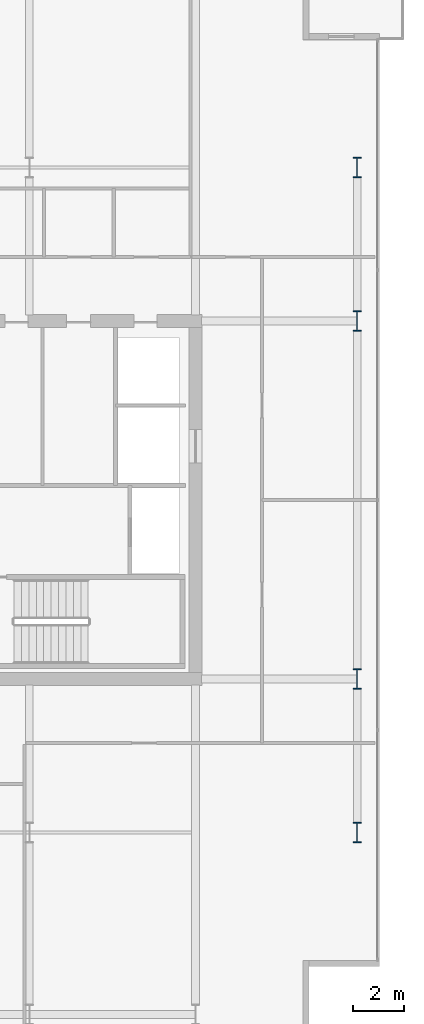
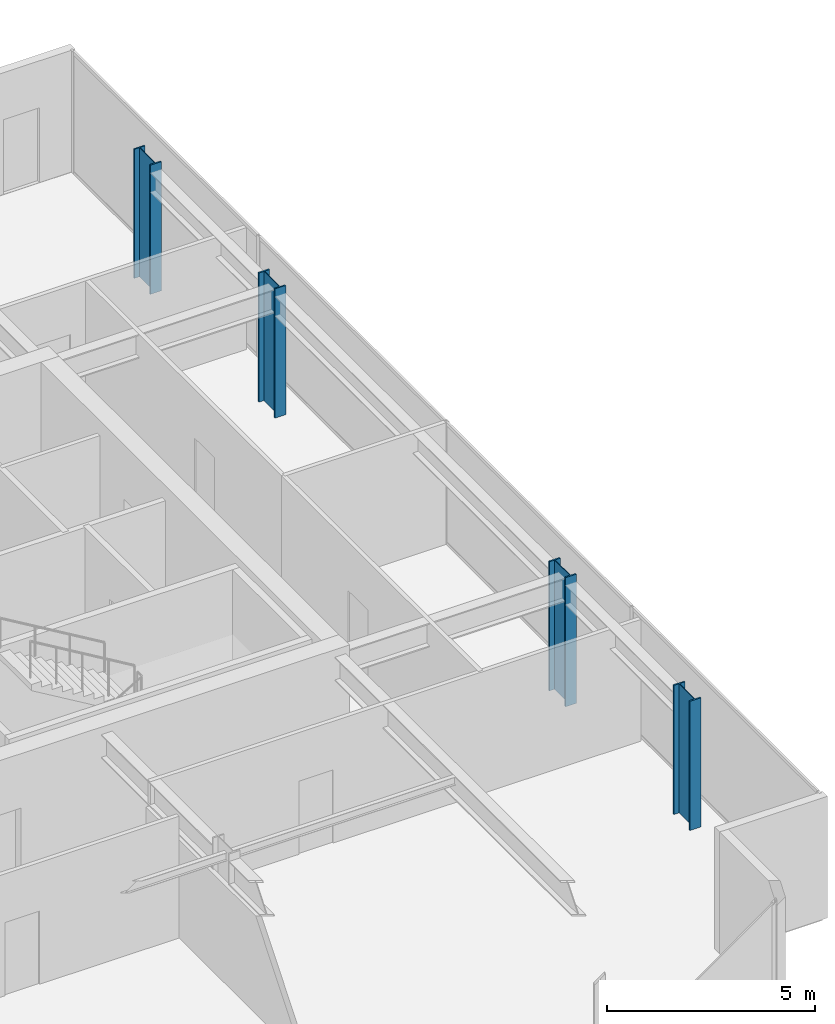
# One storey, part 2 of 23: 4 columns.
"""IFC4 building model written with IfcOpenShell, lengths in metres."""

from ifc_helpers import new_model, si_unit, direction, frame, origin, origin_2d, place, context, subcontext, project, spatial, i_section, extrude, material, material_profile, profile_set, type_object, element, save


model = new_model("IFC4")

# Units and contexts
model_context = context("Model", 3, precision=1e-05, world=origin(), true_north=direction((0.0, 1.0)))
body_context = subcontext(model_context, "Body", "Model", "MODEL_VIEW")
ifc_project = project(units=[si_unit("LENGTHUNIT", "METRE"), si_unit("AREAUNIT", "SQUARE_METRE"), si_unit("VOLUMEUNIT", "CUBIC_METRE"), si_unit("PLANEANGLEUNIT", "RADIAN"), si_unit("MASSUNIT", "GRAM", prefix="KILO")], contexts=[model_context])

# Site, building, storey
site_placement = place(None, origin())
site = spatial("IfcSite", under=ifc_project, at=site_placement, CompositionType="ELEMENT")
building_placement = place(site_placement, origin())
building = spatial("IfcBuilding", under=site, at=building_placement, Name="Putna Gate Headquarters", CompositionType="ELEMENT")
storey_placement = place(building_placement, frame((0.0, 0.0, 206.199951171875)))
storey = spatial("IfcBuildingStorey", under=building, at=storey_placement, Name="L51", CompositionType="ELEMENT", Elevation=206.199951171875)

# Columns
ifc_material = material(Name="Steel S460M", Category="steel")
ifc_material_profile = material_profile(ifc_material, i_section(OverallWidth=0.302978515625, OverallDepth=0.81396484375, WebThickness=0.02099609375, FlangeThickness=0.0400390625, at=origin_2d()), Name="Steel S460M")
ifc_profile_set = profile_set([ifc_material_profile], Name="Steel S460M")
column_type = type_object("IfcColumnType", Name="COL-STL-HEM800-EXT", PredefinedType="COLUMN", material=ifc_profile_set)
for number, where, z_axis, x_axis, name in (
    (1, (71.320068359375, 13.0, 0.0), (0.0, 0.0, 1.0), (1.0, 0.0, 0.0), "L51 Column CP-E13"),
    (2, (71.320068359375, 19.0, 0.0), (0.0, 0.0, 1.0), (1.0, 0.0, 0.0), "L51 Column CP-E19"),
    (3, (71.320068359375, 33.0, 0.0), (0.0, 0.0, 1.0), (1.0, 0.0, 0.0), "L51 Column CP-E33"),
    (4, (71.320068359375, 39.0, 0.0), (0.0, 0.0, 1.0), (1.0, 0.0, 0.0), "L51 Column CP-E39"),
):
    element("IfcColumn", number, at=place(storey_placement, frame(where, z_axis=z_axis, x_axis=x_axis)), inside=storey, type_object=column_type, Name=name, PredefinedType="COLUMN", context=body_context, shape_type="SweptSolid", body=[
        extrude(i_section(OverallWidth=0.302978515625, OverallDepth=0.81396484375, WebThickness=0.02099609375, FlangeThickness=0.0400390625, at=origin_2d()), origin(), (0.0, 0.0, 1.0), 3.800048828125),
    ])

save(model, "model.ifc")
